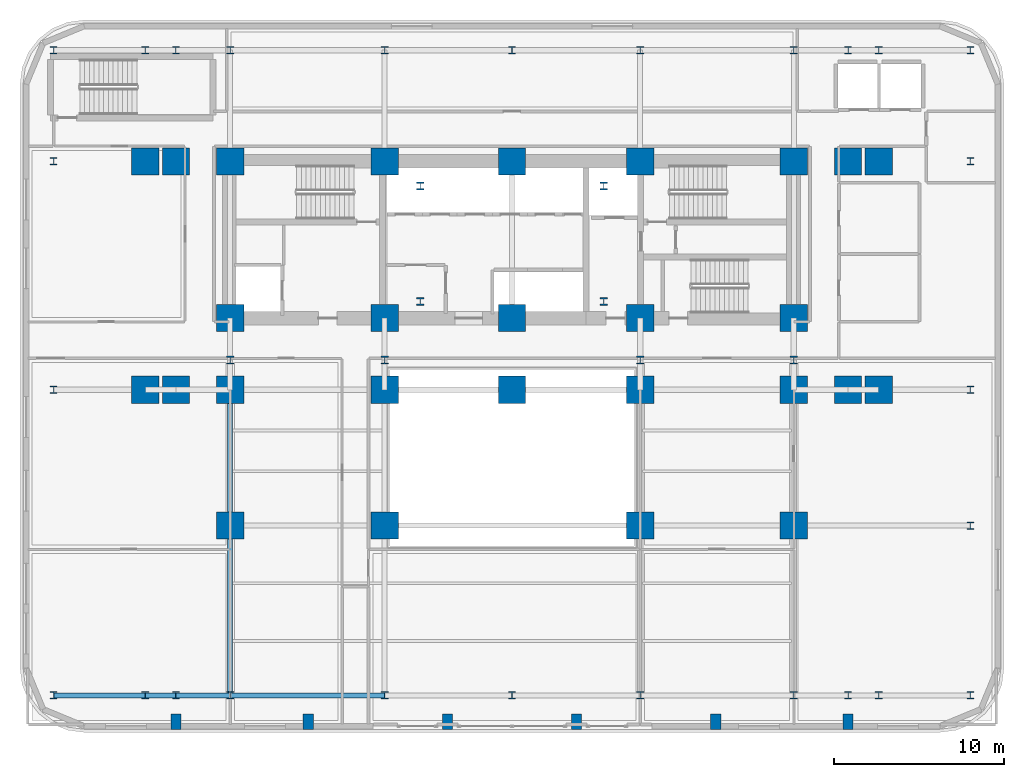
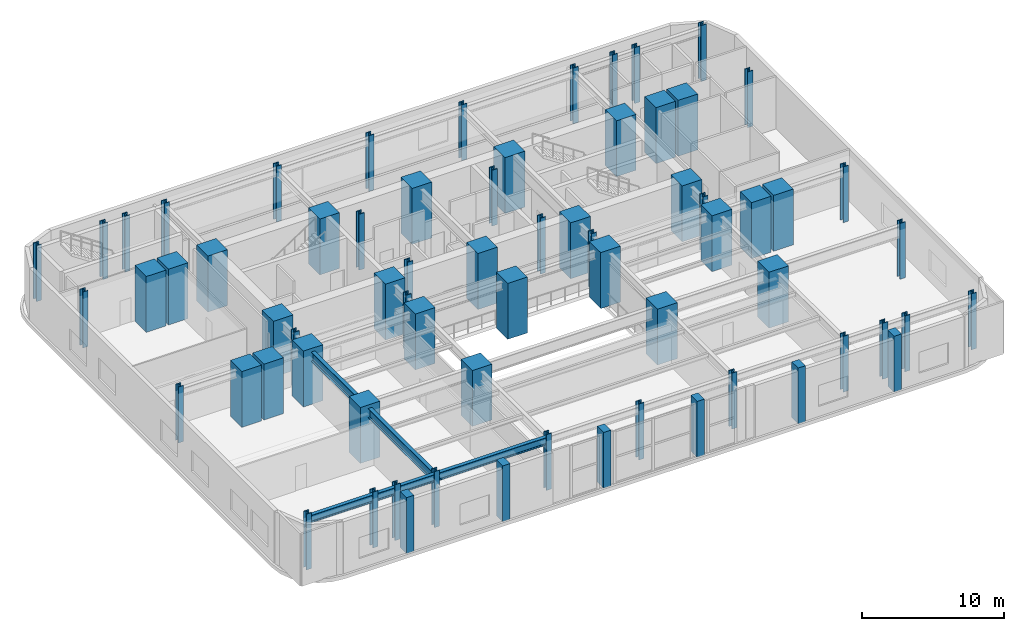
# One storey, part 1 of 16: 68 columns, 6 beams.
"""IFC4 building model written with IfcOpenShell, lengths in metres."""

from ifc_helpers import new_model, si_unit, direction, frame, origin, origin_2d, place, context, subcontext, project, spatial, rectangle, i_section, extrude, material, material_profile, profile_set, type_object, element, save


model = new_model("IFC4")

# Units and contexts
model_context = context("Model", 3, precision=1e-05, world=origin(), true_north=direction((0.0, 1.0)))
body_context = subcontext(model_context, "Body", "Model", "MODEL_VIEW")
ifc_project = project(units=[si_unit("LENGTHUNIT", "METRE"), si_unit("AREAUNIT", "SQUARE_METRE"), si_unit("VOLUMEUNIT", "CUBIC_METRE"), si_unit("PLANEANGLEUNIT", "RADIAN"), si_unit("MASSUNIT", "GRAM", prefix="KILO")], contexts=[model_context])

# Site, building, storey
site_placement = place(None, origin())
site = spatial("IfcSite", under=ifc_project, at=site_placement, CompositionType="ELEMENT")
building_placement = place(site_placement, origin())
building = spatial("IfcBuilding", under=site, at=building_placement, Name="Zarnavel Station Tower", CompositionType="ELEMENT")
storey_placement = place(building_placement, frame((0.0, 0.0, 19.39990234375)))
storey = spatial("IfcBuildingStorey", under=building, at=storey_placement, Name="L05", CompositionType="ELEMENT", Elevation=19.39990234375)

# Columns
ifc_material_1 = material(Name="Steel S460M", Category="steel")
ifc_material_profile_1 = material_profile(ifc_material_1, i_section(OverallWidth=0.424072265625, OverallDepth=0.449951171875, WebThickness=0.041015625, FlangeThickness=0.06494140625, FilletRadius=0.014892578125, at=origin_2d()), Name="HD400x509")
ifc_profile_set_1 = profile_set([ifc_material_profile_1], Name="Steel S460M")
column_type_1 = type_object("IfcColumnType", Name="EC_HD509", PredefinedType="COLUMN", material=ifc_profile_set_1)
for number, where, z_axis, x_axis, name in (
    (1, (1.800048828125, 5.60009765625, 0.0), (0.0, 0.0, 1.0), (1.0, 0.0, 0.0), "L05 Perimeter Column 1-1"),
    (2, (1.800048828125, 23.60009765625, 0.0), (0.0, 0.0, 1.0), (1.0, 0.0, 0.0), "L05 Perimeter Column 1-3"),
    (3, (1.800048828125, 37.050048828125, 0.0), (0.0, 0.0, 1.0), (1.0, 0.0, 0.0), "L05 Perimeter Column 1-4"),
    (4, (1.800048828125, 43.60009765625, 0.0), (0.0, 0.0, 1.0), (1.0, 0.0, 0.0), "L05 Perimeter Column 1-5"),
    (5, (7.199951171875, 5.60009765625, 0.0), (0.0, 0.0, 1.0), (1.0, 0.0, 0.0), "L05 Perimeter Column 2-1"),
    (6, (7.199951171875, 43.60009765625, 0.0), (0.0, 0.0, 1.0), (1.0, 0.0, 0.0), "L05 Perimeter Column 2-5"),
    (7, (9.0, 5.60009765625, 0.0), (0.0, 0.0, 1.0), (1.0, 0.0, 0.0), "L05 Perimeter Column 3-1"),
    (8, (9.0, 43.60009765625, 0.0), (0.0, 0.0, 1.0), (1.0, 0.0, 0.0), "L05 Perimeter Column 3-5"),
    (9, (12.199951171875, 5.60009765625, 0.0), (0.0, 0.0, 1.0), (1.0, 0.0, 0.0), "L05 Perimeter Column 4-1"),
    (10, (12.199951171875, 43.60009765625, 0.0), (0.0, 0.0, 1.0), (1.0, 0.0, 0.0), "L05 Perimeter Column 4-5"),
    (11, (21.300048828125, 5.60009765625, 0.0), (0.0, 0.0, 1.0), (1.0, 0.0, 0.0), "L05 Perimeter Column 5-1"),
    (12, (21.300048828125, 43.60009765625, 0.0), (0.0, 0.0, 1.0), (1.0, 0.0, 0.0), "L05 Perimeter Column 5-5"),
    (13, (28.800048828125, 5.60009765625, 0.0), (0.0, 0.0, 1.0), (1.0, 0.0, 0.0), "L05 Perimeter Column 6-1"),
    (14, (28.800048828125, 43.60009765625, 0.0), (0.0, 0.0, 1.0), (1.0, 0.0, 0.0), "L05 Perimeter Column 6-5"),
    (15, (36.35009765625, 5.60009765625, 0.0), (0.0, 0.0, 1.0), (1.0, 0.0, 0.0), "L05 Perimeter Column 7-1"),
    (16, (36.35009765625, 43.60009765625, 0.0), (0.0, 0.0, 1.0), (1.0, 0.0, 0.0), "L05 Perimeter Column 7-5"),
    (17, (45.39990234375, 5.60009765625, 0.0), (0.0, 0.0, 1.0), (1.0, 0.0, 0.0), "L05 Perimeter Column 8-1"),
    (18, (45.39990234375, 43.60009765625, 0.0), (0.0, 0.0, 1.0), (1.0, 0.0, 0.0), "L05 Perimeter Column 8-5"),
    (19, (48.60009765625, 5.60009765625, 0.0), (0.0, 0.0, 1.0), (1.0, 0.0, 0.0), "L05 Perimeter Column 9-1"),
    (20, (48.60009765625, 43.60009765625, 0.0), (0.0, 0.0, 1.0), (1.0, 0.0, 0.0), "L05 Perimeter Column 9-5"),
    (21, (50.39990234375, 5.60009765625, 0.0), (0.0, 0.0, 1.0), (1.0, 0.0, 0.0), "L05 Perimeter Column 10-1"),
    (22, (50.39990234375, 43.60009765625, 0.0), (0.0, 0.0, 1.0), (1.0, 0.0, 0.0), "L05 Perimeter Column 10-5"),
    (23, (55.800048828125, 5.60009765625, 0.0), (0.0, 0.0, 1.0), (1.0, 0.0, 0.0), "L05 Perimeter Column 11-1"),
    (24, (55.800048828125, 15.60009765625, 0.0), (0.0, 0.0, 1.0), (1.0, 0.0, 0.0), "L05 Perimeter Column 11-2"),
    (25, (55.800048828125, 23.60009765625, 0.0), (0.0, 0.0, 1.0), (1.0, 0.0, 0.0), "L05 Perimeter Column 11-3"),
    (26, (55.800048828125, 37.050048828125, 0.0), (0.0, 0.0, 1.0), (1.0, 0.0, 0.0), "L05 Perimeter Column 11-4"),
    (27, (55.800048828125, 43.60009765625, 0.0), (0.0, 0.0, 1.0), (1.0, 0.0, 0.0), "L05 Perimeter Column 11-5"),
):
    element("IfcColumn", number, at=place(storey_placement, frame(where, z_axis=z_axis, x_axis=x_axis)), inside=storey, type_object=column_type_1, Name=name, PredefinedType="COLUMN", context=body_context, shape_type="SweptSolid", body=[
        extrude(i_section(OverallWidth=0.424072265625, OverallDepth=0.449951171875, WebThickness=0.041015625, FlangeThickness=0.06494140625, FilletRadius=0.014892578125, at=origin_2d()), origin(), (0.0, 0.0, 1.0), 4.800048828125),
    ])
ifc_material_2 = material(Name="Steel S460M", Category="steel")
ifc_material_profile_2 = material_profile(ifc_material_2, i_section(OverallWidth=0.427978515625, OverallDepth=0.465087890625, WebThickness=0.044921875, FlangeThickness=0.072998046875, FilletRadius=0.014892578125, at=origin_2d()), Name="HD400x592")
ifc_profile_set_2 = profile_set([ifc_material_profile_2], Name="Steel S460M")
column_type_2 = type_object("IfcColumnType", Name="IC_HD592", PredefinedType="COLUMN", material=ifc_profile_set_2)
for number, where, z_axis, x_axis, name in (
    (28, (23.39990234375, 28.800048828125, 0.0), (0.0, 0.0, 1.0), (1.0, 0.0, 0.0), "L05 Mast Spine Column 1"),
    (29, (34.199951171875, 28.800048828125, 0.0), (0.0, 0.0, 1.0), (1.0, 0.0, 0.0), "L05 Mast Spine Column 2"),
    (30, (34.199951171875, 35.60009765625, 0.0), (0.0, 0.0, 1.0), (1.0, 0.0, 0.0), "L05 Mast Spine Column 3"),
    (31, (23.39990234375, 35.60009765625, 0.0), (0.0, 0.0, 1.0), (1.0, 0.0, 0.0), "L05 Mast Spine Column 4"),
    (32, (12.199951171875, 25.35009765625, 0.0), (0.0, 0.0, 1.0), (1.0, 0.0, 0.0), "L05 Inner Spine Column 1"),
    (33, (21.300048828125, 25.35009765625, 0.0), (0.0, 0.0, 1.0), (1.0, 0.0, 0.0), "L05 Inner Spine Column 2"),
    (34, (36.35009765625, 25.35009765625, 0.0), (0.0, 0.0, 1.0), (1.0, 0.0, 0.0), "L05 Inner Spine Column 4"),
    (35, (45.39990234375, 25.35009765625, 0.0), (0.0, 0.0, 1.0), (1.0, 0.0, 0.0), "L05 Inner Spine Column 5"),
):
    element("IfcColumn", number, at=place(storey_placement, frame(where, z_axis=z_axis, x_axis=x_axis)), inside=storey, type_object=column_type_2, Name=name, PredefinedType="COLUMN", context=body_context, shape_type="SweptSolid", body=[
        extrude(i_section(OverallWidth=0.427978515625, OverallDepth=0.465087890625, WebThickness=0.044921875, FlangeThickness=0.072998046875, FilletRadius=0.014892578125, at=origin_2d()), origin(), (0.0, 0.0, 1.0), 4.800048828125),
    ])
ifc_material_3 = material(Name="Concrete C60/75", Category="concrete")
ifc_material_profile_3 = material_profile(ifc_material_3, rectangle(XDim=1.60009765625, YDim=1.60009765625, at=origin_2d()), Name="RC1600x1600")
ifc_profile_set_3 = profile_set([ifc_material_profile_3], Name="Concrete C60/75")
column_type_3 = type_object("IfcColumnType", Name="IC_RC1600", PredefinedType="COLUMN", material=ifc_profile_set_3)
for number, where, z_axis, x_axis, name in (
    (36, (12.199951171875, 27.820068359375, 0.0), (0.0, 0.0, 1.0), (1.0, 0.0, 0.0), "L05 Core Spine Column 1-1"),
    (37, (12.199951171875, 37.050048828125, 0.0), (0.0, 0.0, 1.0), (1.0, 0.0, 0.0), "L05 Core Spine Column 1-2"),
    (38, (21.300048828125, 27.820068359375, 0.0), (0.0, 0.0, 1.0), (1.0, 0.0, 0.0), "L05 Core Spine Column 2-1"),
    (39, (21.300048828125, 37.050048828125, 0.0), (0.0, 0.0, 1.0), (1.0, 0.0, 0.0), "L05 Core Spine Column 2-2"),
    (40, (28.800048828125, 27.820068359375, 0.0), (0.0, 0.0, 1.0), (1.0, 0.0, 0.0), "L05 Core Spine Column 3-1"),
    (41, (28.800048828125, 37.050048828125, 0.0), (0.0, 0.0, 1.0), (1.0, 0.0, 0.0), "L05 Core Spine Column 3-2"),
    (42, (36.35009765625, 27.820068359375, 0.0), (0.0, 0.0, 1.0), (1.0, 0.0, 0.0), "L05 Core Spine Column 4-1"),
    (43, (36.35009765625, 37.050048828125, 0.0), (0.0, 0.0, 1.0), (1.0, 0.0, 0.0), "L05 Core Spine Column 4-2"),
    (44, (45.39990234375, 27.820068359375, 0.0), (0.0, 0.0, 1.0), (1.0, 0.0, 0.0), "L05 Core Spine Column 5-1"),
    (45, (45.39990234375, 37.050048828125, 0.0), (0.0, 0.0, 1.0), (1.0, 0.0, 0.0), "L05 Core Spine Column 5-2"),
    (46, (7.199951171875, 23.60009765625, 0.0), (0.0, 0.0, 1.0), (1.0, 0.0, 0.0), "L05 Podium Column 2-3"),
    (47, (7.199951171875, 37.050048828125, 0.0), (0.0, 0.0, 1.0), (1.0, 0.0, 0.0), "L05 Podium Column 2-4"),
    (48, (9.0, 23.60009765625, 0.0), (0.0, 0.0, 1.0), (1.0, 0.0, 0.0), "L05 Podium Column 3-3"),
    (49, (9.0, 37.050048828125, 0.0), (0.0, 0.0, 1.0), (1.0, 0.0, 0.0), "L05 Podium Column 3-4"),
    (50, (12.199951171875, 15.60009765625, 0.0), (0.0, 0.0, 1.0), (1.0, 0.0, 0.0), "L05 Podium Column 4-2"),
    (51, (12.199951171875, 23.60009765625, 0.0), (0.0, 0.0, 1.0), (1.0, 0.0, 0.0), "L05 Podium Column 4-3"),
    (52, (21.300048828125, 15.60009765625, 0.0), (0.0, 0.0, 1.0), (1.0, 0.0, 0.0), "L05 Podium Column 5-2"),
    (53, (21.300048828125, 23.60009765625, 0.0), (0.0, 0.0, 1.0), (1.0, 0.0, 0.0), "L05 Podium Column 5-3"),
    (54, (28.800048828125, 23.60009765625, 0.0), (0.0, 0.0, 1.0), (1.0, 0.0, 0.0), "L05 Podium Column 6-3"),
    (55, (36.35009765625, 15.60009765625, 0.0), (0.0, 0.0, 1.0), (1.0, 0.0, 0.0), "L05 Podium Column 7-2"),
    (56, (36.35009765625, 23.60009765625, 0.0), (0.0, 0.0, 1.0), (1.0, 0.0, 0.0), "L05 Podium Column 7-3"),
    (57, (45.39990234375, 15.60009765625, 0.0), (0.0, 0.0, 1.0), (1.0, 0.0, 0.0), "L05 Podium Column 8-2"),
    (58, (45.39990234375, 23.60009765625, 0.0), (0.0, 0.0, 1.0), (1.0, 0.0, 0.0), "L05 Podium Column 8-3"),
    (59, (48.60009765625, 23.60009765625, 0.0), (0.0, 0.0, 1.0), (1.0, 0.0, 0.0), "L05 Podium Column 9-3"),
    (60, (48.60009765625, 37.050048828125, 0.0), (0.0, 0.0, 1.0), (1.0, 0.0, 0.0), "L05 Podium Column 9-4"),
    (61, (50.39990234375, 23.60009765625, 0.0), (0.0, 0.0, 1.0), (1.0, 0.0, 0.0), "L05 Podium Column 10-3"),
    (62, (50.39990234375, 37.050048828125, 0.0), (0.0, 0.0, 1.0), (1.0, 0.0, 0.0), "L05 Podium Column 10-4"),
):
    element("IfcColumn", number, at=place(storey_placement, frame(where, z_axis=z_axis, x_axis=x_axis)), inside=storey, type_object=column_type_3, Name=name, PredefinedType="COLUMN", context=body_context, shape_type="SweptSolid", body=[
        extrude(rectangle(XDim=1.60009765625, YDim=1.60009765625, at=origin_2d()), origin(), (0.0, 0.0, 1.0), 4.800048828125),
    ])
ifc_material_4 = material(Name="Precast concrete C45/55", Category="concrete")
ifc_material_profile_4 = material_profile(ifc_material_4, rectangle(XDim=0.60009765625, YDim=0.89990234375, at=origin_2d()), Name="RC600x900")
ifc_profile_set_4 = profile_set([ifc_material_profile_4], Name="Precast concrete C45/55")
column_type_4 = type_object("IfcColumnType", Name="PL_BASALT", PredefinedType="PILASTER", material=ifc_profile_set_4)
for number, where, z_axis, x_axis, name in (
    (63, (9.0, 4.050048828125, 0.0), (0.0, 0.0, 1.0), (1.0, 0.0, 0.0), "L05 Basalt Facade Pilaster S1"),
    (64, (16.800048828125, 4.050048828125, 0.0), (0.0, 0.0, 1.0), (1.0, 0.0, 0.0), "L05 Basalt Facade Pilaster S2"),
    (65, (25.0, 4.050048828125, 0.0), (0.0, 0.0, 1.0), (1.0, 0.0, 0.0), "L05 Basalt Facade Pilaster S3"),
    (66, (32.60009765625, 4.050048828125, 0.0), (0.0, 0.0, 1.0), (1.0, 0.0, 0.0), "L05 Basalt Facade Pilaster S4"),
    (67, (40.800048828125, 4.050048828125, 0.0), (0.0, 0.0, 1.0), (1.0, 0.0, 0.0), "L05 Basalt Facade Pilaster S5"),
    (68, (48.60009765625, 4.050048828125, 0.0), (0.0, 0.0, 1.0), (1.0, 0.0, 0.0), "L05 Basalt Facade Pilaster S6"),
):
    element("IfcColumn", number, at=place(storey_placement, frame(where, z_axis=z_axis, x_axis=x_axis)), inside=storey, type_object=column_type_4, Name=name, PredefinedType="PILASTER", context=body_context, shape_type="SweptSolid", body=[
        extrude(rectangle(XDim=0.60009765625, YDim=0.89990234375, at=origin_2d()), origin(), (0.0, 0.0, 1.0), 4.800048828125),
    ])

# Beams
ifc_material_5 = material(Name="Steel S355J2", Category="steel")
ifc_material_profile_5 = material_profile(ifc_material_5, i_section(OverallWidth=0.300048828125, OverallDepth=0.64990234375, WebThickness=0.01611328125, FlangeThickness=0.031005859375, FilletRadius=0.027099609375, at=origin_2d()), Name="HEB650")
ifc_profile_set_5 = profile_set([ifc_material_profile_5], Name="Steel S355J2")
beam_type_1 = type_object("IfcBeamType", Name="FG_HEB650", PredefinedType="USERDEFINED", material=ifc_profile_set_5)
beam_1_placement = place(storey_placement, frame((1.800048828125, 5.60009765625, 4.175048828125), z_axis=(1.0, 0.0, 0.0), x_axis=(0.0, 1.0, 0.0)))
element("IfcBeam", 69, at=beam_1_placement, inside=storey, type_object=beam_type_1, Name="L05 EW Frame Girder 1-1", ObjectType="GIRDER", PredefinedType="USERDEFINED", context=body_context, shape_type="SweptSolid", body=[
    extrude(i_section(OverallWidth=0.300048828125, OverallDepth=0.64990234375, WebThickness=0.01611328125, FlangeThickness=0.031005859375, FilletRadius=0.027099609375, at=origin_2d()), origin(), (0.0, 0.0, 1.0), 5.39990234375),
])
beam_2_placement = place(storey_placement, frame((7.199951171875, 5.60009765625, 4.175048828125), z_axis=(1.0, 0.0, 0.0), x_axis=(0.0, 1.0, 0.0)))
element("IfcBeam", 70, at=beam_2_placement, inside=storey, type_object=beam_type_1, Name="L05 EW Frame Girder 1-2", ObjectType="GIRDER", PredefinedType="USERDEFINED", context=body_context, shape_type="SweptSolid", body=[
    extrude(i_section(OverallWidth=0.300048828125, OverallDepth=0.64990234375, WebThickness=0.01611328125, FlangeThickness=0.031005859375, FilletRadius=0.027099609375, at=origin_2d()), origin(), (0.0, 0.0, 1.0), 1.800048828125),
])
beam_3_placement = place(storey_placement, frame((9.0, 5.60009765625, 4.175048828125), z_axis=(1.0, 0.0, 0.0), x_axis=(0.0, 1.0, 0.0)))
element("IfcBeam", 71, at=beam_3_placement, inside=storey, type_object=beam_type_1, Name="L05 EW Frame Girder 1-3", ObjectType="GIRDER", PredefinedType="USERDEFINED", context=body_context, shape_type="SweptSolid", body=[
    extrude(i_section(OverallWidth=0.300048828125, OverallDepth=0.64990234375, WebThickness=0.01611328125, FlangeThickness=0.031005859375, FilletRadius=0.027099609375, at=origin_2d()), origin(), (0.0, 0.0, 1.0), 3.199951171875),
])
beam_4_placement = place(storey_placement, frame((12.199951171875, 5.60009765625, 4.175048828125), z_axis=(1.0, 0.0, 0.0), x_axis=(0.0, 1.0, 0.0)))
element("IfcBeam", 72, at=beam_4_placement, inside=storey, type_object=beam_type_1, Name="L05 EW Frame Girder 1-4", ObjectType="GIRDER", PredefinedType="USERDEFINED", context=body_context, shape_type="SweptSolid", body=[
    extrude(i_section(OverallWidth=0.300048828125, OverallDepth=0.64990234375, WebThickness=0.01611328125, FlangeThickness=0.031005859375, FilletRadius=0.027099609375, at=origin_2d()), origin(), (0.0, 0.0, 1.0), 9.10009765625),
])
ifc_material_6 = material(Name="Steel S460M", Category="steel")
ifc_material_profile_6 = material_profile(ifc_material_6, i_section(OverallWidth=0.302978515625, OverallDepth=0.81396484375, WebThickness=0.02099609375, FlangeThickness=0.0400390625, FilletRadius=0.030029296875, at=origin_2d()), Name="HEM800")
ifc_profile_set_6 = profile_set([ifc_material_profile_6], Name="Steel S460M")
beam_type_2 = type_object("IfcBeamType", Name="FG_HEM800", PredefinedType="USERDEFINED", material=ifc_profile_set_6)
beam_5_placement = place(storey_placement, frame((12.199951171875, 5.60009765625, 4.093017578125), z_axis=(0.0, 1.0, 0.0), x_axis=(-1.0, 0.0, 0.0)))
element("IfcBeam", 73, at=beam_5_placement, inside=storey, type_object=beam_type_2, Name="L05 NS Girder South 1", ObjectType="GIRDER", PredefinedType="USERDEFINED", context=body_context, shape_type="SweptSolid", body=[
    extrude(i_section(OverallWidth=0.302978515625, OverallDepth=0.81396484375, WebThickness=0.02099609375, FlangeThickness=0.0400390625, FilletRadius=0.030029296875, at=origin_2d()), origin(), (0.0, 0.0, 1.0), 10.0),
])
beam_6_placement = place(storey_placement, frame((12.199951171875, 15.60009765625, 4.093017578125), z_axis=(0.0, 1.0, 0.0), x_axis=(-1.0, 0.0, 0.0)))
element("IfcBeam", 74, at=beam_6_placement, inside=storey, type_object=beam_type_2, Name="L05 NS Girder Mid 1", ObjectType="GIRDER", PredefinedType="USERDEFINED", context=body_context, shape_type="SweptSolid", body=[
    extrude(i_section(OverallWidth=0.302978515625, OverallDepth=0.81396484375, WebThickness=0.02099609375, FlangeThickness=0.0400390625, FilletRadius=0.030029296875, at=origin_2d()), origin(), (0.0, 0.0, 1.0), 8.0),
])

save(model, "model.ifc")
